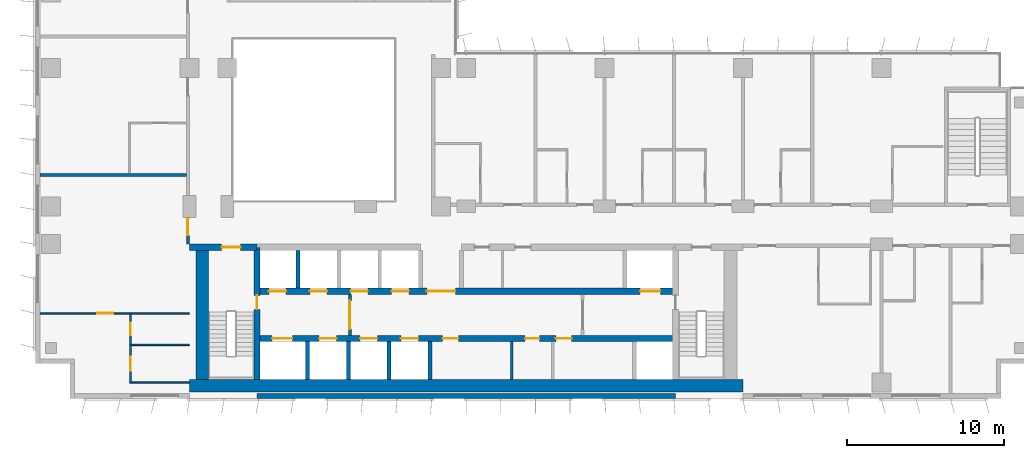
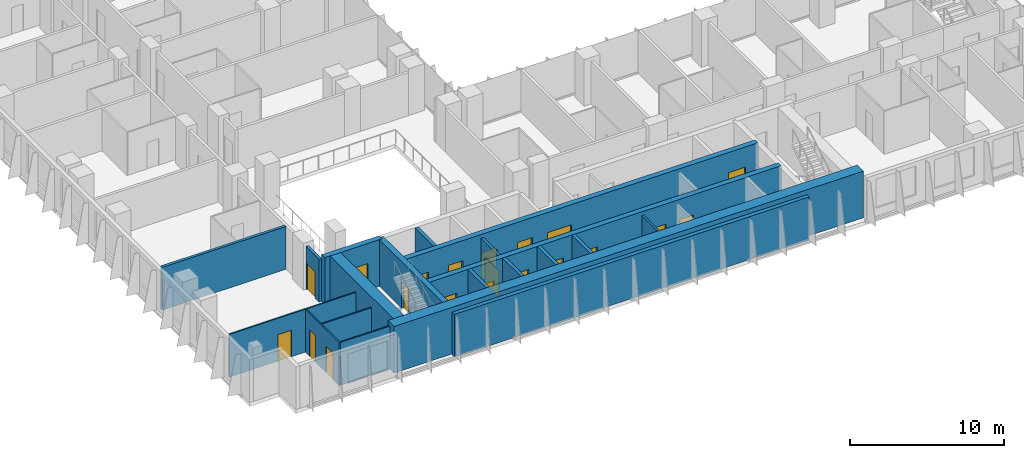
# One storey, part 12 of 23: 20 doors, 20 walls, 20 openings.
"""IFC4 building model written with IfcOpenShell, lengths in metres."""

from ifc_helpers import new_model, si_unit, direction, frame, frame_2d, origin, place, context, subcontext, project, spatial, rectangle, extrude, material, layer, layer_set, type_object, element, fill, save


model = new_model("IFC4")

# Units and contexts
model_context = context("Model", 3, precision=1e-05, world=origin(), true_north=direction((0.0, 1.0)))
body_context = subcontext(model_context, "Body", "Model", "MODEL_VIEW")
ifc_project = project(units=[si_unit("LENGTHUNIT", "METRE"), si_unit("AREAUNIT", "SQUARE_METRE"), si_unit("VOLUMEUNIT", "CUBIC_METRE"), si_unit("PLANEANGLEUNIT", "RADIAN"), si_unit("MASSUNIT", "GRAM", prefix="KILO")], contexts=[model_context])

# Site, building, storey
site_placement = place(None, origin())
site = spatial("IfcSite", under=ifc_project, at=site_placement, CompositionType="ELEMENT")
building_placement = place(site_placement, origin())
building = spatial("IfcBuilding", under=site, at=building_placement, Name="Kemantara Hotel Tower", CompositionType="ELEMENT")
storey_placement = place(building_placement, frame((0.0, 0.0, 138.300048828125)))
storey = spatial("IfcBuildingStorey", under=building, at=storey_placement, Name="L33", CompositionType="ELEMENT", Elevation=138.300048828125)

# Walls
ifc_material_1 = material(Name="Bronze anodised aluminium cladding on insulated steel stud wall", Category="steel")
ifc_layer_1 = layer(ifc_material_1, 0.300048828125)
ifc_layer_set_1 = layer_set([ifc_layer_1], Name="Bronze anodised aluminium cladding on insulated steel stud wall")
wall_type_1 = type_object("IfcWallType", Name="BRONZE METAL-CLAD EXTERNAL WALL 300", PredefinedType="STANDARD", material=ifc_layer_set_1)
wall_1_placement = place(storey_placement, frame((14.10009765625, 0.14990234375, 0.0), z_axis=(0.0, 0.0, 1.0), x_axis=(1.0, 0.0, 0.0)))
element("IfcWall", 1, at=wall_1_placement, inside=storey, type_object=wall_type_1, Name="EXTERNAL WALL L33 T2-R07-2", PredefinedType="STANDARD", context=body_context, shape_type="SweptSolid", body=[
    extrude(rectangle(XDim=26.599853515625, YDim=0.300048828125, at=frame_2d((13.2998046875, 0.0))), origin(), (0.0, 0.0, 1.0), 3.39990234375),
])
ifc_material_2 = material(Name="Concrete fc 60 MPa", Category="concrete")
ifc_layer_2 = layer(ifc_material_2, 0.25)
ifc_layer_set_2 = layer_set([ifc_layer_2], Name="Concrete fc 60 MPa")
wall_type_2 = type_object("IfcWallType", Name="CORE WALL 250 FC60", PredefinedType="SHEAR", material=ifc_layer_set_2)
for number, where, z_axis, x_axis, name in (
    (2, (17.300048828125, 1.199951171875, 0.0), (0.0, 0.0, 1.0), (0.0, 1.0, 0.0), "CORE WALL CW-DS17.3"),
    (3, (19.89990234375, 1.199951171875, 0.0), (0.0, 0.0, 1.0), (0.0, 1.0, 0.0), "CORE WALL CW-DS19.9"),
    (4, (22.5, 1.199951171875, 0.0), (0.0, 0.0, 1.0), (0.0, 1.0, 0.0), "CORE WALL CW-DS22.5"),
    (5, (25.10009765625, 1.199951171875, 0.0), (0.0, 0.0, 1.0), (0.0, 1.0, 0.0), "CORE WALL CW-DS25.1"),
):
    element("IfcWall", number, at=place(storey_placement, frame(where, z_axis=z_axis, x_axis=x_axis)), inside=storey, type_object=wall_type_2, Name=name, PredefinedType="SHEAR", context=body_context, shape_type="SweptSolid", body=[
        extrude(rectangle(XDim=2.400146484375, YDim=0.25, at=frame_2d((1.2001953125, 0.0))), origin(), (0.0, 0.0, 1.0), 3.699951171875),
    ])
wall_2_placement = place(storey_placement, frame((16.699951171875, 7.0, 0.0), z_axis=(0.0, 0.0, 1.0), x_axis=(0.0, 1.0, 0.0)))
element("IfcWall", 6, at=wall_2_placement, inside=storey, type_object=wall_type_2, Name="CORE WALL CW-DN16.7", PredefinedType="SHEAR", context=body_context, shape_type="SweptSolid", body=[
    extrude(rectangle(XDim=2.39990234375, YDim=0.25, at=frame_2d((1.199951171875, 0.0))), origin(), (0.0, 0.0, 1.0), 3.699951171875),
])

# Wall, opening, door
ifc_layer_3 = layer(ifc_material_2, 0.39990234375)
ifc_layer_set_3 = layer_set([ifc_layer_3], Name="Concrete fc 60 MPa")
wall_type_3 = type_object("IfcWallType", Name="CORE WALL 400 FC60", PredefinedType="SHEAR", material=ifc_layer_set_3)
wall_3_placement = place(storey_placement, frame((9.800048828125, 9.60009765625, 0.0), z_axis=(0.0, 0.0, 1.0), x_axis=(1.0, 0.0, 0.0)))
wall_3 = element("IfcWall", 7, at=wall_3_placement, inside=storey, type_object=wall_type_3, Name="CORE WALL CW-N1", PredefinedType="SHEAR", context=body_context, shape_type="SweptSolid", body=[
    extrude(rectangle(XDim=4.300048828125, YDim=0.39990234375, at=frame_2d((2.14990234375, 0.0))), origin(), (0.0, 0.0, 1.0), 3.699951171875),
])
opening_1_placement = place(wall_3_placement, frame((2.050048828125, 0.0, 0.0)))
opening_1 = element("IfcOpeningElement", 8, at=opening_1_placement, cuts=wall_3, Name="Opening C22-ST1-C", PredefinedType="OPENING", context=body_context, shape_type="SweptSolid", body=[
    extrude(rectangle(XDim=1.199951171875, YDim=2.10009765625, at=frame_2d((0.60009765625, 1.050048828125))), frame((0.0, 0.2099609375, 0.0), z_axis=(0.0, -1.0, 0.0), x_axis=(1.0, 0.0, 0.0)), (0.0, 0.0, 1.0), 0.419921875),
])
ifc_material_3 = material(Name="Steel fire door", Category="steel")
door_type_1 = type_object("IfcDoorType", Name="Fire door FD90 1200 x 2100", OperationType="NOTDEFINED", PredefinedType="DOOR", material=ifc_material_3)
door_1_placement = place(opening_1_placement, frame((1.199951171875, 0.0, 0.0), z_axis=(0.0, 0.0, 1.0), x_axis=(-1.0, 0.0, 0.0)))
door_1 = element("IfcDoor", 9, at=door_1_placement, inside=storey, type_object=door_type_1, Name="Stair ST1 door to corridor", OperationType="SINGLE_SWING_LEFT", OverallHeight=2.10009765625, OverallWidth=1.199951171875, PredefinedType="DOOR", context=body_context, shape_type="SweptSolid", body=[
    extrude(rectangle(XDim=1.199951171875, YDim=2.10009765625, at=frame_2d((0.60009765625, 1.050048828125))), frame((0.0, 0.02490234375, 0.0), z_axis=(0.0, -1.0, 0.0), x_axis=(1.0, 0.0, 0.0)), (0.0, 0.0, 1.0), 0.050048828125),
])
fill(opening_1, door_1)

# Wall, openings, doors
wall_4_placement = place(storey_placement, frame((14.10009765625, 3.800048828125, 0.0), z_axis=(0.0, 0.0, 1.0), x_axis=(1.0, 0.0, 0.0)))
wall_4 = element("IfcWall", 10, at=wall_4_placement, inside=storey, type_object=wall_type_3, Name="CORE WALL CW-L1", PredefinedType="SHEAR", context=body_context, shape_type="SweptSolid", body=[
    extrude(rectangle(XDim=26.599853515625, YDim=0.39990234375, at=frame_2d((13.2998046875, 0.0))), origin(), (0.0, 0.0, 1.0), 3.699951171875),
])
opening_2_placement = place(wall_4_placement, frame((0.949951171875, 0.0, 0.0)))
opening_2 = element("IfcOpeningElement", 11, at=opening_2_placement, cuts=wall_4, Name="Opening C22-LD-FF1", PredefinedType="OPENING", context=body_context, shape_type="SweptSolid", body=[
    extrude(rectangle(XDim=1.300048828125, YDim=2.10009765625, at=frame_2d((0.64990234375, 1.050048828125))), frame((0.0, 0.2099609375, 0.0), z_axis=(0.0, -1.0, 0.0), x_axis=(1.0, 0.0, 0.0)), (0.0, 0.0, 1.0), 0.419921875),
])
opening_3_placement = place(wall_4_placement, frame((3.949951171875, 0.0, 0.0)))
opening_3 = element("IfcOpeningElement", 12, at=opening_3_placement, cuts=wall_4, Name="Opening C22-LD-SV1", PredefinedType="OPENING", context=body_context, shape_type="SweptSolid", body=[
    extrude(rectangle(XDim=1.10009765625, YDim=2.10009765625, at=frame_2d((0.550048828125, 1.050048828125))), frame((0.0, 0.2099609375, 0.0), z_axis=(0.0, -1.0, 0.0), x_axis=(1.0, 0.0, 0.0)), (0.0, 0.0, 1.0), 0.419921875),
])
opening_4_placement = place(wall_4_placement, frame((6.550048828125, 0.0, 0.0)))
opening_4 = element("IfcOpeningElement", 13, at=opening_4_placement, cuts=wall_4, Name="Opening C22-LD-SV2", PredefinedType="OPENING", context=body_context, shape_type="SweptSolid", body=[
    extrude(rectangle(XDim=1.10009765625, YDim=2.10009765625, at=frame_2d((0.550048828125, 1.050048828125))), frame((0.0, 0.2099609375, 0.0), z_axis=(0.0, -1.0, 0.0), x_axis=(1.0, 0.0, 0.0)), (0.0, 0.0, 1.0), 0.419921875),
])
opening_5_placement = place(wall_4_placement, frame((9.14990234375, 0.0, 0.0)))
opening_5 = element("IfcOpeningElement", 14, at=opening_5_placement, cuts=wall_4, Name="Opening C22-LD-SV3", PredefinedType="OPENING", context=body_context, shape_type="SweptSolid", body=[
    extrude(rectangle(XDim=1.10009765625, YDim=2.10009765625, at=frame_2d((0.550048828125, 1.050048828125))), frame((0.0, 0.2099609375, 0.0), z_axis=(0.0, -1.0, 0.0), x_axis=(1.0, 0.0, 0.0)), (0.0, 0.0, 1.0), 0.419921875),
])
opening_6_placement = place(wall_4_placement, frame((11.800048828125, 0.0, 0.0)))
opening_6 = element("IfcOpeningElement", 15, at=opening_6_placement, cuts=wall_4, Name="Opening C22-R-SM1", PredefinedType="OPENING", context=body_context, shape_type="SweptSolid", body=[
    extrude(rectangle(XDim=1.0, YDim=2.10009765625, at=frame_2d((0.5, 1.050048828125))), frame((0.0, 0.2099609375, 0.0), z_axis=(0.0, -1.0, 0.0), x_axis=(1.0, 0.0, 0.0)), (0.0, 0.0, 1.0), 0.419921875),
])
opening_7_placement = place(wall_4_placement, frame((17.050048828125, 0.0, 0.0)))
opening_7 = element("IfcOpeningElement", 16, at=opening_7_placement, cuts=wall_4, Name="Opening C22-R-SM2", PredefinedType="OPENING", context=body_context, shape_type="SweptSolid", body=[
    extrude(rectangle(XDim=0.89990234375, YDim=2.10009765625, at=frame_2d((0.449951171875, 1.050048828125))), frame((0.0, 0.2099609375, 0.0), z_axis=(0.0, -1.0, 0.0), x_axis=(1.0, 0.0, 0.0)), (0.0, 0.0, 1.0), 0.419921875),
])
opening_8_placement = place(wall_4_placement, frame((19.0, 0.0, 0.0)))
opening_8 = element("IfcOpeningElement", 17, at=opening_8_placement, cuts=wall_4, Name="Opening C22-R-SM3", PredefinedType="OPENING", context=body_context, shape_type="SweptSolid", body=[
    extrude(rectangle(XDim=1.0, YDim=2.10009765625, at=frame_2d((0.5, 1.050048828125))), frame((0.0, 0.2099609375, 0.0), z_axis=(0.0, -1.0, 0.0), x_axis=(1.0, 0.0, 0.0)), (0.0, 0.0, 1.0), 0.419921875),
])
door_type_2 = type_object("IfcDoorType", Name="Fire door FD30S 1000 x 2100", OperationType="NOTDEFINED", PredefinedType="DOOR", material=ifc_material_3)
door_2_placement = place(opening_6_placement, frame((1.0, 0.0, 0.0), z_axis=(0.0, 0.0, 1.0), x_axis=(-1.0, 0.0, 0.0)))
door_2 = element("IfcDoor", 18, at=door_2_placement, inside=storey, type_object=door_type_2, Name="Luggage Store door", OperationType="SINGLE_SWING_RIGHT", OverallHeight=2.10009765625, OverallWidth=1.0, PredefinedType="DOOR", context=body_context, shape_type="SweptSolid", body=[
    extrude(rectangle(XDim=1.0, YDim=2.10009765625, at=frame_2d((0.5, 1.050048828125))), frame((0.0, 0.02490234375, 0.0), z_axis=(0.0, -1.0, 0.0), x_axis=(1.0, 0.0, 0.0)), (0.0, 0.0, 1.0), 0.050048828125),
])
fill(opening_6, door_2)
door_3_placement = place(opening_8_placement, frame((1.0, 0.0, 0.0), z_axis=(0.0, 0.0, 1.0), x_axis=(-1.0, 0.0, 0.0)))
door_3 = element("IfcDoor", 19, at=door_3_placement, inside=storey, type_object=door_type_2, Name="Staff Lounge door", OperationType="SINGLE_SWING_LEFT", OverallHeight=2.10009765625, OverallWidth=1.0, PredefinedType="DOOR", context=body_context, shape_type="SweptSolid", body=[
    extrude(rectangle(XDim=1.0, YDim=2.10009765625, at=frame_2d((0.5, 1.050048828125))), frame((0.0, 0.02490234375, 0.0), z_axis=(0.0, -1.0, 0.0), x_axis=(1.0, 0.0, 0.0)), (0.0, 0.0, 1.0), 0.050048828125),
])
fill(opening_8, door_3)
door_type_3 = type_object("IfcDoorType", Name="Fire door FD60 900 x 2100", OperationType="NOTDEFINED", PredefinedType="DOOR", material=ifc_material_3)
door_4_placement = place(opening_7_placement, frame((0.89990234375, 0.0, 0.0), z_axis=(0.0, 0.0, 1.0), x_axis=(-1.0, 0.0, 0.0)))
door_4 = element("IfcDoor", 20, at=door_4_placement, inside=storey, type_object=door_type_3, Name="Electrical Riser Room door", OperationType="SINGLE_SWING_LEFT", OverallHeight=2.10009765625, OverallWidth=0.89990234375, PredefinedType="DOOR", context=body_context, shape_type="SweptSolid", body=[
    extrude(rectangle(XDim=0.89990234375, YDim=2.10009765625, at=frame_2d((0.449951171875, 1.050048828125))), frame((0.0, 0.02490234375, 0.0), z_axis=(0.0, -1.0, 0.0), x_axis=(1.0, 0.0, 0.0)), (0.0, 0.0, 1.0), 0.050048828125),
])
fill(opening_7, door_4)
ifc_material_4 = material(Name="Stainless steel lift door", Category="steel")
door_type_4 = type_object("IfcDoorType", Name="Lift landing door 1100 x 2100 FD60", OperationType="DOUBLE_DOOR_SLIDING", PredefinedType="DOOR", material=ifc_material_4)
door_5_placement = place(opening_3_placement, origin())
door_5 = element("IfcDoor", 21, at=door_5_placement, inside=storey, type_object=door_type_4, Name="Lift SV1 landing door", OperationType="DOUBLE_DOOR_SLIDING", OverallHeight=2.10009765625, OverallWidth=1.10009765625, PredefinedType="DOOR", context=body_context, shape_type="SweptSolid", body=[
    extrude(rectangle(XDim=1.10009765625, YDim=2.10009765625, at=frame_2d((0.550048828125, 1.050048828125))), frame((0.0, 0.02490234375, 0.0), z_axis=(0.0, -1.0, 0.0), x_axis=(1.0, 0.0, 0.0)), (0.0, 0.0, 1.0), 0.050048828125),
])
fill(opening_3, door_5)
door_6_placement = place(opening_4_placement, origin())
door_6 = element("IfcDoor", 22, at=door_6_placement, inside=storey, type_object=door_type_4, Name="Lift SV2 landing door", OperationType="DOUBLE_DOOR_SLIDING", OverallHeight=2.10009765625, OverallWidth=1.10009765625, PredefinedType="DOOR", context=body_context, shape_type="SweptSolid", body=[
    extrude(rectangle(XDim=1.10009765625, YDim=2.10009765625, at=frame_2d((0.550048828125, 1.050048828125))), frame((0.0, 0.02490234375, 0.0), z_axis=(0.0, -1.0, 0.0), x_axis=(1.0, 0.0, 0.0)), (0.0, 0.0, 1.0), 0.050048828125),
])
fill(opening_4, door_6)
door_7_placement = place(opening_5_placement, origin())
door_7 = element("IfcDoor", 23, at=door_7_placement, inside=storey, type_object=door_type_4, Name="Lift SV3 landing door", OperationType="DOUBLE_DOOR_SLIDING", OverallHeight=2.10009765625, OverallWidth=1.10009765625, PredefinedType="DOOR", context=body_context, shape_type="SweptSolid", body=[
    extrude(rectangle(XDim=1.10009765625, YDim=2.10009765625, at=frame_2d((0.550048828125, 1.050048828125))), frame((0.0, 0.02490234375, 0.0), z_axis=(0.0, -1.0, 0.0), x_axis=(1.0, 0.0, 0.0)), (0.0, 0.0, 1.0), 0.050048828125),
])
fill(opening_5, door_7)
door_type_5 = type_object("IfcDoorType", Name="Lift landing door 1300 x 2100 FD90", OperationType="DOUBLE_DOOR_SLIDING", PredefinedType="DOOR", material=ifc_material_4)
door_8_placement = place(opening_2_placement, origin())
door_8 = element("IfcDoor", 24, at=door_8_placement, inside=storey, type_object=door_type_5, Name="Lift FF1 landing door", OperationType="DOUBLE_DOOR_SLIDING", OverallHeight=2.10009765625, OverallWidth=1.300048828125, PredefinedType="DOOR", context=body_context, shape_type="SweptSolid", body=[
    extrude(rectangle(XDim=1.300048828125, YDim=2.10009765625, at=frame_2d((0.64990234375, 1.050048828125))), frame((0.0, 0.02490234375, 0.0), z_axis=(0.0, -1.0, 0.0), x_axis=(1.0, 0.0, 0.0)), (0.0, 0.0, 1.0), 0.050048828125),
])
fill(opening_2, door_8)

wall_5_placement = place(storey_placement, frame((14.10009765625, 6.800048828125, 0.0), z_axis=(0.0, 0.0, 1.0), x_axis=(1.0, 0.0, 0.0)))
wall_5 = element("IfcWall", 25, at=wall_5_placement, inside=storey, type_object=wall_type_3, Name="CORE WALL CW-L2", PredefinedType="SHEAR", context=body_context, shape_type="SweptSolid", body=[
    extrude(rectangle(XDim=26.599853515625, YDim=0.39990234375, at=frame_2d((13.2998046875, 0.0))), origin(), (0.0, 0.0, 1.0), 3.699951171875),
])
opening_9_placement = place(wall_5_placement, frame((10.800048828125, 0.0, 0.0)))
opening_9 = element("IfcOpeningElement", 26, at=opening_9_placement, cuts=wall_5, Name="Opening C22-VL", PredefinedType="OPENING", context=body_context, shape_type="SweptSolid", body=[
    extrude(rectangle(XDim=1.800048828125, YDim=2.10009765625, at=frame_2d((0.89990234375, 1.050048828125))), frame((0.0, 0.2099609375, 0.0), z_axis=(0.0, -1.0, 0.0), x_axis=(1.0, 0.0, 0.0)), (0.0, 0.0, 1.0), 0.419921875),
])
opening_10_placement = place(wall_5_placement, frame((0.75, 0.0, 0.0)))
opening_10 = element("IfcOpeningElement", 27, at=opening_10_placement, cuts=wall_5, Name="Opening C22-LD-MR1", PredefinedType="OPENING", context=body_context, shape_type="SweptSolid", body=[
    extrude(rectangle(XDim=1.10009765625, YDim=2.10009765625, at=frame_2d((0.550048828125, 1.050048828125))), frame((0.0, 0.2099609375, 0.0), z_axis=(0.0, -1.0, 0.0), x_axis=(1.0, 0.0, 0.0)), (0.0, 0.0, 1.0), 0.419921875),
])
opening_11_placement = place(wall_5_placement, frame((3.35009765625, 0.0, 0.0)))
opening_11 = element("IfcOpeningElement", 28, at=opening_11_placement, cuts=wall_5, Name="Opening C22-LD-MR2", PredefinedType="OPENING", context=body_context, shape_type="SweptSolid", body=[
    extrude(rectangle(XDim=1.10009765625, YDim=2.10009765625, at=frame_2d((0.550048828125, 1.050048828125))), frame((0.0, 0.2099609375, 0.0), z_axis=(0.0, -1.0, 0.0), x_axis=(1.0, 0.0, 0.0)), (0.0, 0.0, 1.0), 0.419921875),
])
opening_12_placement = place(wall_5_placement, frame((5.949951171875, 0.0, 0.0)))
opening_12 = element("IfcOpeningElement", 29, at=opening_12_placement, cuts=wall_5, Name="Opening C22-LD-MR3", PredefinedType="OPENING", context=body_context, shape_type="SweptSolid", body=[
    extrude(rectangle(XDim=1.10009765625, YDim=2.10009765625, at=frame_2d((0.550048828125, 1.050048828125))), frame((0.0, 0.2099609375, 0.0), z_axis=(0.0, -1.0, 0.0), x_axis=(1.0, 0.0, 0.0)), (0.0, 0.0, 1.0), 0.419921875),
])
opening_13_placement = place(wall_5_placement, frame((8.550048828125, 0.0, 0.0)))
opening_13 = element("IfcOpeningElement", 30, at=opening_13_placement, cuts=wall_5, Name="Opening C22-LD-MR4", PredefinedType="OPENING", context=body_context, shape_type="SweptSolid", body=[
    extrude(rectangle(XDim=1.10009765625, YDim=2.10009765625, at=frame_2d((0.550048828125, 1.050048828125))), frame((0.0, 0.2099609375, 0.0), z_axis=(0.0, -1.0, 0.0), x_axis=(1.0, 0.0, 0.0)), (0.0, 0.0, 1.0), 0.419921875),
])
opening_14_placement = place(wall_5_placement, frame((24.35009765625, 0.0, 0.0)))
opening_14 = element("IfcOpeningElement", 31, at=opening_14_placement, cuts=wall_5, Name="Opening C22-LD-FF2", PredefinedType="OPENING", context=body_context, shape_type="SweptSolid", body=[
    extrude(rectangle(XDim=1.300048828125, YDim=2.10009765625, at=frame_2d((0.64990234375, 1.050048828125))), frame((0.0, 0.2099609375, 0.0), z_axis=(0.0, -1.0, 0.0), x_axis=(1.0, 0.0, 0.0)), (0.0, 0.0, 1.0), 0.419921875),
])
door_type_6 = type_object("IfcDoorType", Name="Fire door pair FD60 1800 x 2100", OperationType="DOUBLE_DOOR_SINGLE_SWING", PredefinedType="DOOR", material=ifc_material_3)
door_9_placement = place(opening_9_placement, frame((1.800048828125, 0.0, 0.0), z_axis=(0.0, 0.0, 1.0), x_axis=(-1.0, 0.0, 0.0)))
door_9 = element("IfcDoor", 32, at=door_9_placement, inside=storey, type_object=door_type_6, Name="Lift lobby entry door", OperationType="DOUBLE_DOOR_SINGLE_SWING", OverallHeight=2.10009765625, OverallWidth=1.800048828125, PredefinedType="DOOR", context=body_context, shape_type="SweptSolid", body=[
    extrude(rectangle(XDim=1.800048828125, YDim=2.10009765625, at=frame_2d((0.89990234375, 1.050048828125))), frame((0.0, 0.02490234375, 0.0), z_axis=(0.0, -1.0, 0.0), x_axis=(1.0, 0.0, 0.0)), (0.0, 0.0, 1.0), 0.050048828125),
])
fill(opening_9, door_9)
door_10_placement = place(opening_10_placement, origin())
door_10 = element("IfcDoor", 33, at=door_10_placement, inside=storey, type_object=door_type_4, Name="Lift MR1 landing door", OperationType="DOUBLE_DOOR_SLIDING", OverallHeight=2.10009765625, OverallWidth=1.10009765625, PredefinedType="DOOR", context=body_context, shape_type="SweptSolid", body=[
    extrude(rectangle(XDim=1.10009765625, YDim=2.10009765625, at=frame_2d((0.550048828125, 1.050048828125))), frame((0.0, 0.02490234375, 0.0), z_axis=(0.0, -1.0, 0.0), x_axis=(1.0, 0.0, 0.0)), (0.0, 0.0, 1.0), 0.050048828125),
])
fill(opening_10, door_10)
door_11_placement = place(opening_11_placement, origin())
door_11 = element("IfcDoor", 34, at=door_11_placement, inside=storey, type_object=door_type_4, Name="Lift MR2 landing door", OperationType="DOUBLE_DOOR_SLIDING", OverallHeight=2.10009765625, OverallWidth=1.10009765625, PredefinedType="DOOR", context=body_context, shape_type="SweptSolid", body=[
    extrude(rectangle(XDim=1.10009765625, YDim=2.10009765625, at=frame_2d((0.550048828125, 1.050048828125))), frame((0.0, 0.02490234375, 0.0), z_axis=(0.0, -1.0, 0.0), x_axis=(1.0, 0.0, 0.0)), (0.0, 0.0, 1.0), 0.050048828125),
])
fill(opening_11, door_11)
door_12_placement = place(opening_12_placement, origin())
door_12 = element("IfcDoor", 35, at=door_12_placement, inside=storey, type_object=door_type_4, Name="Lift MR3 landing door", OperationType="DOUBLE_DOOR_SLIDING", OverallHeight=2.10009765625, OverallWidth=1.10009765625, PredefinedType="DOOR", context=body_context, shape_type="SweptSolid", body=[
    extrude(rectangle(XDim=1.10009765625, YDim=2.10009765625, at=frame_2d((0.550048828125, 1.050048828125))), frame((0.0, 0.02490234375, 0.0), z_axis=(0.0, -1.0, 0.0), x_axis=(1.0, 0.0, 0.0)), (0.0, 0.0, 1.0), 0.050048828125),
])
fill(opening_12, door_12)
door_13_placement = place(opening_13_placement, origin())
door_13 = element("IfcDoor", 36, at=door_13_placement, inside=storey, type_object=door_type_4, Name="Lift MR4 landing door", OperationType="DOUBLE_DOOR_SLIDING", OverallHeight=2.10009765625, OverallWidth=1.10009765625, PredefinedType="DOOR", context=body_context, shape_type="SweptSolid", body=[
    extrude(rectangle(XDim=1.10009765625, YDim=2.10009765625, at=frame_2d((0.550048828125, 1.050048828125))), frame((0.0, 0.02490234375, 0.0), z_axis=(0.0, -1.0, 0.0), x_axis=(1.0, 0.0, 0.0)), (0.0, 0.0, 1.0), 0.050048828125),
])
fill(opening_13, door_13)
door_14_placement = place(opening_14_placement, origin())
door_14 = element("IfcDoor", 37, at=door_14_placement, inside=storey, type_object=door_type_5, Name="Lift FF2 landing door", OperationType="DOUBLE_DOOR_SLIDING", OverallHeight=2.10009765625, OverallWidth=1.300048828125, PredefinedType="DOOR", context=body_context, shape_type="SweptSolid", body=[
    extrude(rectangle(XDim=1.300048828125, YDim=2.10009765625, at=frame_2d((0.64990234375, 1.050048828125))), frame((0.0, 0.02490234375, 0.0), z_axis=(0.0, -1.0, 0.0), x_axis=(1.0, 0.0, 0.0)), (0.0, 0.0, 1.0), 0.050048828125),
])
fill(opening_14, door_14)

# Wall, opening, door
wall_6_placement = place(storey_placement, frame((14.10009765625, 1.199951171875, 0.0), z_axis=(0.0, 0.0, 1.0), x_axis=(0.0, 1.0, 0.0)))
wall_6 = element("IfcWall", 38, at=wall_6_placement, inside=storey, type_object=wall_type_3, Name="CORE WALL CW-ST1E", PredefinedType="SHEAR", context=body_context, shape_type="SweptSolid", body=[
    extrude(rectangle(XDim=8.400146484375, YDim=0.39990234375, at=frame_2d((4.2001953125, 0.0))), origin(), (0.0, 0.0, 1.0), 3.699951171875),
])
opening_15_placement = place(wall_6_placement, frame((4.449951171875, 0.0, 0.0)))
opening_15 = element("IfcOpeningElement", 39, at=opening_15_placement, cuts=wall_6, Name="Opening C22-ST1-F", PredefinedType="OPENING", context=body_context, shape_type="SweptSolid", body=[
    extrude(rectangle(XDim=0.89990234375, YDim=2.10009765625, at=frame_2d((0.449951171875, 1.050048828125))), frame((0.0, 0.2099609375, 0.0), z_axis=(0.0, -1.0, 0.0), x_axis=(1.0, 0.0, 0.0)), (0.0, 0.0, 1.0), 0.419921875),
])
door_type_7 = type_object("IfcDoorType", Name="Fire door FD90 900 x 2100", OperationType="NOTDEFINED", PredefinedType="DOOR", material=ifc_material_3)
door_15_placement = place(opening_15_placement, origin())
door_15 = element("IfcDoor", 40, at=door_15_placement, inside=storey, type_object=door_type_7, Name="Stair ST1 door to firefighting lobby", OperationType="SINGLE_SWING_RIGHT", OverallHeight=2.10009765625, OverallWidth=0.89990234375, PredefinedType="DOOR", context=body_context, shape_type="SweptSolid", body=[
    extrude(rectangle(XDim=0.89990234375, YDim=2.10009765625, at=frame_2d((0.449951171875, 1.050048828125))), frame((0.0, 0.02490234375, 0.0), z_axis=(0.0, -1.0, 0.0), x_axis=(1.0, 0.0, 0.0)), (0.0, 0.0, 1.0), 0.050048828125),
])
fill(opening_15, door_15)

# Walls
ifc_layer_4 = layer(ifc_material_2, 0.800048828125)
ifc_layer_set_4 = layer_set([ifc_layer_4], Name="Concrete fc 60 MPa")
wall_type_4 = type_object("IfcWallType", Name="CORE WALL 800 FC60", PredefinedType="SHEAR", material=ifc_layer_set_4)
wall_7_placement = place(storey_placement, frame((9.800048828125, 0.800048828125, 0.0), z_axis=(0.0, 0.0, 1.0), x_axis=(1.0, 0.0, 0.0)))
element("IfcWall", 41, at=wall_7_placement, inside=storey, type_object=wall_type_4, Name="CORE WALL CW-S", PredefinedType="SHEAR", context=body_context, shape_type="SweptSolid", body=[
    extrude(rectangle(XDim=35.199951171875, YDim=0.800048828125, at=frame_2d((17.60009765625, 0.0))), origin(), (0.0, 0.0, 1.0), 3.699951171875),
])
wall_8_placement = place(storey_placement, frame((10.60009765625, 1.199951171875, 0.0), z_axis=(0.0, 0.0, 1.0), x_axis=(0.0, 1.0, 0.0)))
element("IfcWall", 42, at=wall_8_placement, inside=storey, type_object=wall_type_4, Name="CORE WALL CW-W", PredefinedType="SHEAR", context=body_context, shape_type="SweptSolid", body=[
    extrude(rectangle(XDim=8.60009765625, YDim=0.800048828125, at=frame_2d((4.300048828125, 0.0))), origin(), (0.0, 0.0, 1.0), 3.699951171875),
])

# Wall, opening, door
ifc_material_5 = material(Name="Gypsum board partition, steel studs and mineral wool, 200 mm", Category="steel")
ifc_layer_5 = layer(ifc_material_5, 0.199951171875)
ifc_layer_set_5 = layer_set([ifc_layer_5], Name="Gypsum board partition, steel studs and mineral wool, 200 mm")
wall_type_5 = type_object("IfcWallType", Name="CORRIDOR WALL 200", PredefinedType="PARTITIONING", material=ifc_layer_set_5)
wall_9_placement = place(storey_placement, frame((9.699951171875, 9.800048828125, 0.0), z_axis=(0.0, 0.0, 1.0), x_axis=(0.0, 1.0, 0.0)))
wall_9 = element("IfcWall", 43, at=wall_9_placement, inside=storey, type_object=wall_type_5, Name="CORRIDOR WALL 200 017", PredefinedType="PARTITIONING", context=body_context, shape_type="SweptSolid", body=[
    extrude(rectangle(XDim=1.699951171875, YDim=0.199951171875, at=frame_2d((0.85009765625, 0.0))), origin(), (0.0, 0.0, 1.0), 3.39990234375),
])
opening_16_placement = place(wall_9_placement, frame((0.550048828125, 0.0, 0.0)))
opening_16 = element("IfcOpeningElement", 44, at=opening_16_placement, cuts=wall_9, Name="Opening F15-019", PredefinedType="OPENING", context=body_context, shape_type="SweptSolid", body=[
    extrude(rectangle(XDim=1.10009765625, YDim=2.10009765625, at=frame_2d((0.550048828125, 1.050048828125))), frame((0.0, 0.10986328125, 0.0), z_axis=(0.0, -1.0, 0.0), x_axis=(1.0, 0.0, 0.0)), (0.0, 0.0, 1.0), 0.219970703125),
])
ifc_material_6 = material(Name="Hardwood veneer door leaf with steel frame", Category="steel")
door_type_8 = type_object("IfcDoorType", Name="SUITE ENTRANCE DOOR 1100 X 2100 FD30S", OperationType="NOTDEFINED", PredefinedType="DOOR", material=ifc_material_6)
door_16_placement = place(opening_16_placement, origin())
door_16 = element("IfcDoor", 45, at=door_16_placement, inside=storey, type_object=door_type_8, Name="SUITE ENTRANCE DOOR F15-019", OperationType="SINGLE_SWING_RIGHT", OverallHeight=2.10009765625, OverallWidth=1.10009765625, PredefinedType="DOOR", context=body_context, shape_type="SweptSolid", body=[
    extrude(rectangle(XDim=1.10009765625, YDim=2.10009765625, at=frame_2d((0.550048828125, 1.050048828125))), frame((0.0, 0.02490234375, 0.0), z_axis=(0.0, -1.0, 0.0), x_axis=(1.0, 0.0, 0.0)), (0.0, 0.0, 1.0), 0.050048828125),
])
fill(opening_16, door_16)

# Walls
ifc_layer_6 = layer(ifc_material_5, 0.199951171875)
ifc_layer_set_6 = layer_set([ifc_layer_6], Name="Gypsum board partition, steel studs and mineral wool, 200 mm")
wall_type_6 = type_object("IfcWallType", Name="GUEST ROOM PARTY WALL 200", PredefinedType="PARTITIONING", material=ifc_layer_set_6)
wall_10_placement = place(storey_placement, frame((0.31005859375, 14.199951171875, 0.0), z_axis=(0.0, 0.0, 1.0), x_axis=(1.0, 0.0, 0.0)))
element("IfcWall", 46, at=wall_10_placement, inside=storey, type_object=wall_type_6, Name="GUEST ROOM PARTY WALL 200 026", PredefinedType="PARTITIONING", context=body_context, shape_type="SweptSolid", body=[
    extrude(rectangle(XDim=9.2900390625, YDim=0.199951171875, at=frame_2d((4.64501953125, 0.0))), origin(), (0.0, 0.0, 1.0), 3.39990234375),
])
ifc_material_7 = material(Name="Gypsum board partition")
ifc_layer_7 = layer(ifc_material_7, 0.14990234375)
ifc_layer_set_7 = layer_set([ifc_layer_7], Name="Gypsum board partition")
wall_type_7 = type_object("IfcWallType", Name="Gypsum board partition 150 mm", PredefinedType="PARTITIONING", material=ifc_layer_set_7)
wall_11_placement = place(storey_placement, frame((30.300048828125, 1.199951171875, 0.0), z_axis=(0.0, 0.0, 1.0), x_axis=(0.0, 1.0, 0.0)))
element("IfcWall", 47, at=wall_11_placement, inside=storey, type_object=wall_type_7, Name="Core room partition", PredefinedType="PARTITIONING", context=body_context, shape_type="SweptSolid", body=[
    extrude(rectangle(XDim=2.400146484375, YDim=0.14990234375, at=frame_2d((1.2001953125, 0.0))), origin(), (0.0, 0.0, 1.0), 3.39990234375),
])

# Wall, opening, door
ifc_material_8 = material(Name="Gypsum board shaft wall")
ifc_layer_8 = layer(ifc_material_8, 0.199951171875)
ifc_layer_set_8 = layer_set([ifc_layer_8], Name="Gypsum board shaft wall")
wall_type_8 = type_object("IfcWallType", Name="Gypsum board shaft wall 200 mm", PredefinedType="PARTITIONING", material=ifc_layer_set_8)
wall_12_placement = place(storey_placement, frame((20.0, 4.0, 0.0), z_axis=(0.0, 0.0, 1.0), x_axis=(0.0, 1.0, 0.0)))
wall_12 = element("IfcWall", 48, at=wall_12_placement, inside=storey, type_object=wall_type_8, Name="Firefighting lobby partition west", PredefinedType="PARTITIONING", context=body_context, shape_type="SweptSolid", body=[
    extrude(rectangle(XDim=2.60009765625, YDim=0.199951171875, at=frame_2d((1.300048828125, 0.0))), origin(), (0.0, 0.0, 1.0), 3.39990234375),
])
opening_17_placement = place(wall_12_placement, frame((0.39990234375, 0.0, 0.0)))
opening_17 = element("IfcOpeningElement", 49, at=opening_17_placement, cuts=wall_12, Name="Opening C22-FFW", PredefinedType="OPENING", context=body_context, shape_type="SweptSolid", body=[
    extrude(rectangle(XDim=1.800048828125, YDim=2.10009765625, at=frame_2d((0.89990234375, 1.050048828125))), frame((0.0, 0.10986328125, 0.0), z_axis=(0.0, -1.0, 0.0), x_axis=(1.0, 0.0, 0.0)), (0.0, 0.0, 1.0), 0.219970703125),
])
door_17_placement = place(opening_17_placement, origin())
door_17 = element("IfcDoor", 50, at=door_17_placement, inside=storey, type_object=door_type_6, Name="Firefighting lobby door west", OperationType="DOUBLE_DOOR_SINGLE_SWING", OverallHeight=2.10009765625, OverallWidth=1.800048828125, PredefinedType="DOOR", context=body_context, shape_type="SweptSolid", body=[
    extrude(rectangle(XDim=1.800048828125, YDim=2.10009765625, at=frame_2d((0.89990234375, 1.050048828125))), frame((0.0, 0.02490234375, 0.0), z_axis=(0.0, -1.0, 0.0), x_axis=(1.0, 0.0, 0.0)), (0.0, 0.0, 1.0), 0.050048828125),
])
fill(opening_17, door_17)

# Wall, openings, doors
ifc_material_9 = material(Name="Gypsum board partition on steel studs, 100 mm", Category="steel")
ifc_layer_9 = layer(ifc_material_9, 0.10009765625)
ifc_layer_set_9 = layer_set([ifc_layer_9], Name="Gypsum board partition on steel studs, 100 mm")
wall_type_9 = type_object("IfcWallType", Name="ROOM PARTITION 100", PredefinedType="PARTITIONING", material=ifc_layer_set_9)
wall_13_placement = place(storey_placement, frame((6.050048828125, 5.35009765625, 0.0), z_axis=(0.0, 0.0, 1.0), x_axis=(0.0, -1.0, 0.0)))
wall_13 = element("IfcWall", 51, at=wall_13_placement, inside=storey, type_object=wall_type_9, Name="ROOM PARTITION 100 070", PredefinedType="PARTITIONING", context=body_context, shape_type="SweptSolid", body=[
    extrude(rectangle(XDim=4.400146484375, YDim=0.10009765625, at=frame_2d((2.2001953125, 0.0))), origin(), (0.0, 0.0, 1.0), 3.39990234375),
])
opening_18_placement = place(wall_13_placement, frame((2.699951171875, 0.0, 0.0)))
opening_18 = element("IfcOpeningElement", 52, at=opening_18_placement, cuts=wall_13, Name="Opening F15-021", PredefinedType="OPENING", context=body_context, shape_type="SweptSolid", body=[
    extrude(rectangle(XDim=0.89990234375, YDim=2.10009765625, at=frame_2d((0.449951171875, 1.050048828125))), frame((0.0, 0.06005859375, 0.0), z_axis=(0.0, -1.0, 0.0), x_axis=(1.0, 0.0, 0.0)), (0.0, 0.0, 1.0), 0.1201171875),
])
opening_19_placement = place(wall_13_placement, frame((0.550048828125, 0.0, 0.0)))
opening_19 = element("IfcOpeningElement", 53, at=opening_19_placement, cuts=wall_13, Name="Opening F15-022", PredefinedType="OPENING", context=body_context, shape_type="SweptSolid", body=[
    extrude(rectangle(XDim=0.800048828125, YDim=2.10009765625, at=frame_2d((0.39990234375, 1.050048828125))), frame((0.0, 0.06005859375, 0.0), z_axis=(0.0, -1.0, 0.0), x_axis=(1.0, 0.0, 0.0)), (0.0, 0.0, 1.0), 0.1201171875),
])
door_type_9 = type_object("IfcDoorType", Name="BATHROOM DOOR 900 X 2100", OperationType="NOTDEFINED", PredefinedType="DOOR", material=ifc_material_6)
door_18_placement = place(opening_18_placement, origin())
door_18 = element("IfcDoor", 54, at=door_18_placement, inside=storey, type_object=door_type_9, Name="BATHROOM DOOR F15-021", OperationType="SINGLE_SWING_LEFT", OverallHeight=2.10009765625, OverallWidth=0.89990234375, PredefinedType="DOOR", context=body_context, shape_type="SweptSolid", body=[
    extrude(rectangle(XDim=0.89990234375, YDim=2.10009765625, at=frame_2d((0.449951171875, 1.050048828125))), frame((0.0, 0.02490234375, 0.0), z_axis=(0.0, -1.0, 0.0), x_axis=(1.0, 0.0, 0.0)), (0.0, 0.0, 1.0), 0.050048828125),
])
fill(opening_18, door_18)
door_type_10 = type_object("IfcDoorType", Name="WARDROBE DOOR 800 X 2100", OperationType="NOTDEFINED", PredefinedType="DOOR", material=ifc_material_6)
door_19_placement = place(opening_19_placement, origin())
door_19 = element("IfcDoor", 55, at=door_19_placement, inside=storey, type_object=door_type_10, Name="WARDROBE DOOR F15-022", OperationType="SINGLE_SWING_LEFT", OverallHeight=2.10009765625, OverallWidth=0.800048828125, PredefinedType="DOOR", context=body_context, shape_type="SweptSolid", body=[
    extrude(rectangle(XDim=0.800048828125, YDim=2.10009765625, at=frame_2d((0.39990234375, 1.050048828125))), frame((0.0, 0.02490234375, 0.0), z_axis=(0.0, -1.0, 0.0), x_axis=(1.0, 0.0, 0.0)), (0.0, 0.0, 1.0), 0.050048828125),
])
fill(opening_19, door_19)

# Wall, opening, door
wall_14_placement = place(storey_placement, frame((9.7998046875, 5.39990234375, 0.0), z_axis=(0.0, 0.0, 1.0), x_axis=(-1.0, 0.0, 0.0)))
wall_14 = element("IfcWall", 56, at=wall_14_placement, inside=storey, type_object=wall_type_9, Name="ROOM PARTITION 100 072", PredefinedType="PARTITIONING", context=body_context, shape_type="SweptSolid", body=[
    extrude(rectangle(XDim=9.48974609375, YDim=0.10009765625, at=frame_2d((4.744873046875, 0.0))), origin(), (0.0, 0.0, 1.0), 3.39990234375),
])
opening_20_placement = place(wall_14_placement, frame((4.849853515625, 0.0, 0.0)))
opening_20 = element("IfcOpeningElement", 57, at=opening_20_placement, cuts=wall_14, Name="Opening F15-020", PredefinedType="OPENING", context=body_context, shape_type="SweptSolid", body=[
    extrude(rectangle(XDim=1.0, YDim=2.10009765625, at=frame_2d((0.5, 1.050048828125))), frame((0.0, 0.06005859375, 0.0), z_axis=(0.0, -1.0, 0.0), x_axis=(1.0, 0.0, 0.0)), (0.0, 0.0, 1.0), 0.1201171875),
])
door_type_11 = type_object("IfcDoorType", Name="INTERNAL DOOR 1000 X 2100", OperationType="NOTDEFINED", PredefinedType="DOOR", material=ifc_material_6)
door_20_placement = place(opening_20_placement, origin())
door_20 = element("IfcDoor", 58, at=door_20_placement, inside=storey, type_object=door_type_11, Name="INTERNAL DOOR F15-020", OperationType="SINGLE_SWING_LEFT", OverallHeight=2.10009765625, OverallWidth=1.0, PredefinedType="DOOR", context=body_context, shape_type="SweptSolid", body=[
    extrude(rectangle(XDim=1.0, YDim=2.10009765625, at=frame_2d((0.5, 1.050048828125))), frame((0.0, 0.02490234375, 0.0), z_axis=(0.0, -1.0, 0.0), x_axis=(1.0, 0.0, 0.0)), (0.0, 0.0, 1.0), 0.050048828125),
])
fill(opening_20, door_20)

# Walls
for number, where, z_axis, x_axis, name in (
    (59, (6.10009765625, 1.0, 0.0), (0.0, 0.0, 1.0), (1.0, 0.0, 0.0), "ROOM PARTITION 100 073"),
    (60, (6.10009765625, 3.39990234375, 0.0), (0.0, 0.0, 1.0), (1.0, 0.0, 0.0), "ROOM PARTITION 100 074"),
):
    element("IfcWall", number, at=place(storey_placement, frame(where, z_axis=z_axis, x_axis=x_axis)), inside=storey, type_object=wall_type_9, Name=name, PredefinedType="PARTITIONING", context=body_context, shape_type="SweptSolid", body=[
        extrude(rectangle(XDim=3.69970703125, YDim=0.10009765625, at=frame_2d((1.849853515625, 0.0))), origin(), (0.0, 0.0, 1.0), 3.39990234375),
    ])

save(model, "model.ifc")
